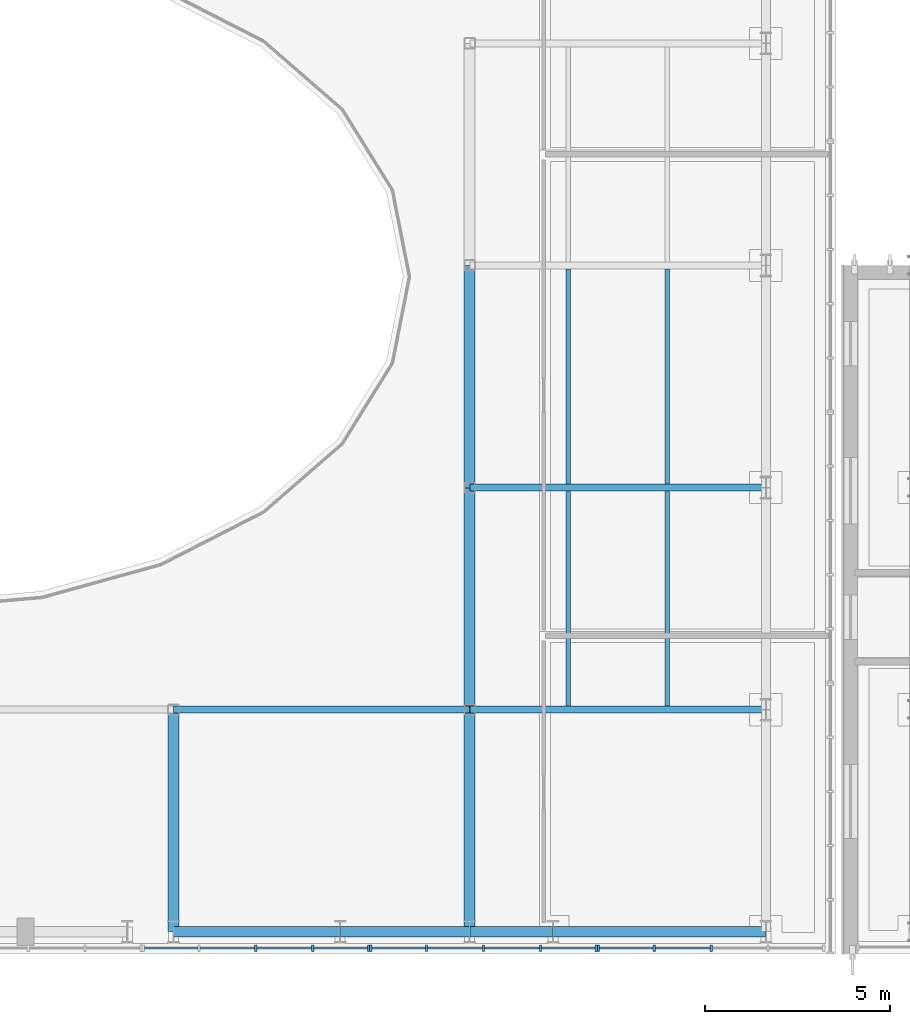
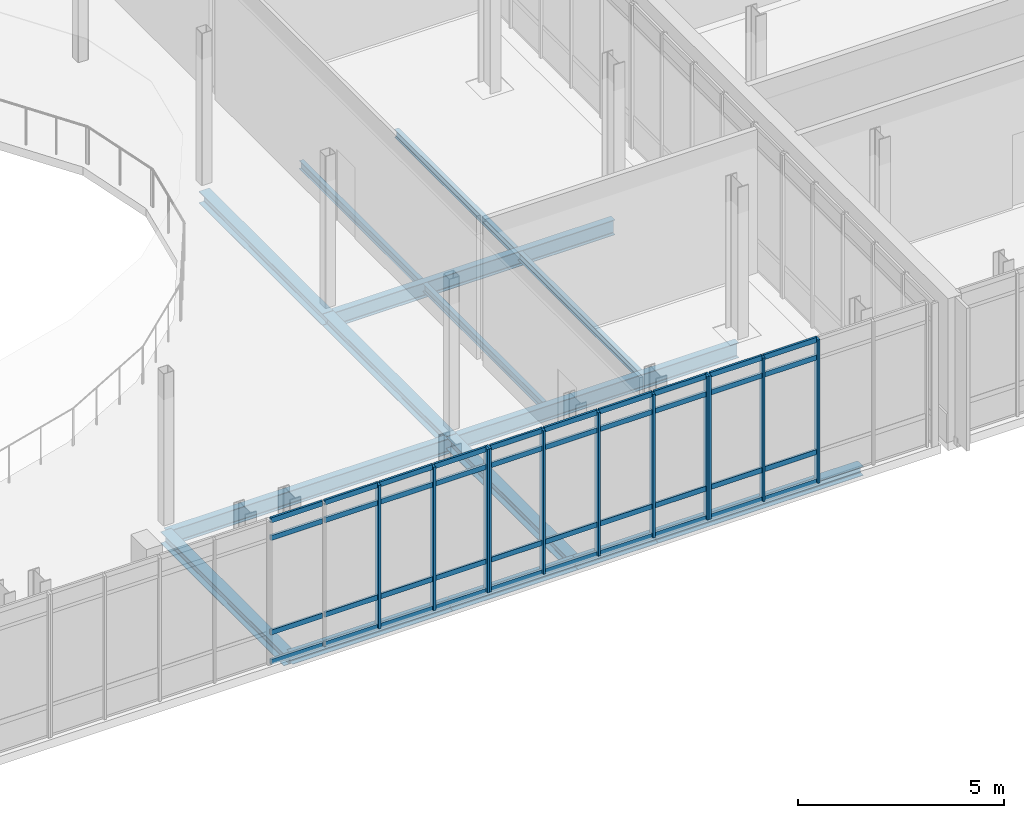
# One storey, part 26 of 100: 51 members, 15 beams, 3 elements without a shape of their own.
"""IFC4 building model written with IfcOpenShell, lengths in metres."""

from ifc_helpers import new_model, si_unit, direction, frame, origin, origin_2d, place, context, subcontext, project, spatial, rectangle, i_section, extrude, material, material_profile, profile_set, type_object, element, aggregate, save


model = new_model("IFC4")

# Units and contexts
model_context = context("Model", 3, precision=1e-05, world=origin(), true_north=direction((0.0, 1.0)))
body_context = subcontext(model_context, "Body", "Model", "MODEL_VIEW")
ifc_project = project(units=[si_unit("LENGTHUNIT", "METRE"), si_unit("AREAUNIT", "SQUARE_METRE"), si_unit("VOLUMEUNIT", "CUBIC_METRE"), si_unit("PLANEANGLEUNIT", "RADIAN"), si_unit("MASSUNIT", "GRAM", prefix="KILO")], contexts=[model_context])

# Site, building, storey
site_placement = place(None, origin())
site = spatial("IfcSite", under=ifc_project, at=site_placement, CompositionType="ELEMENT")
building_placement = place(site_placement, origin())
building = spatial("IfcBuilding", under=site, at=building_placement, Name="Cymarion Research Institute", CompositionType="ELEMENT")
storey_placement = place(building_placement, frame((0.0, 0.0, 4.800048828125)))
storey = spatial("IfcBuildingStorey", under=building, at=storey_placement, Name="L01", CompositionType="ELEMENT", Elevation=4.800048828125)

# Curtain wall, members
ifc_material_1 = material(Name="Anodised aluminium unitised curtain wall with Low-E glazing", Category="aluminium")
curtain_wall_type = type_object("IfcCurtainWallType", Name="UNITISED CURTAIN WALL CW07 6150X4250", PredefinedType="NOTDEFINED", material=ifc_material_1)
curtain_wall_1_placement = place(storey_placement, origin())
curtain_wall_1 = element("IfcCurtainWall", 1, at=curtain_wall_1_placement, inside=storey, type_object=curtain_wall_type, Name="L01 V2 unitised curtain wall CW07 #16", PredefinedType="NOTDEFINED")
ifc_material_2 = material(Name="Anodised aluminium framing", Category="aluminium")
ifc_material_profile_1 = material_profile(ifc_material_2, rectangle(XDim=0.06005859375, YDim=0.179931640625, at=origin_2d()), Name="ALU MULLION 60x180")
ifc_profile_set_1 = profile_set([ifc_material_profile_1], Name="Anodised aluminium framing")
member_type_1 = type_object("IfcMemberType", Name="CURTAIN WALL MULLION ML01 60X180", PredefinedType="MULLION", material=ifc_profile_set_1)
member_1_placement = place(storey_placement, frame((88.82421875, 5.06005859375, 0.0), z_axis=(0.0, 0.0, 1.0), x_axis=(1.0, 0.0, 0.0)))
member_1 = element("IfcMember", 2, at=member_1_placement, type_object=member_type_1, Name="CW07 mullion 3", PredefinedType="MULLION", context=body_context, shape_type="SweptSolid", body=[
    extrude(rectangle(XDim=0.06005859375, YDim=0.179931640625, at=origin_2d()), origin(), (0.0, 0.0, 1.0), 4.25),
])
member_2_placement = place(storey_placement, frame((90.361572265625, 5.06005859375, 0.0), z_axis=(0.0, 0.0, 1.0), x_axis=(1.0, 0.0, 0.0)))
member_2 = element("IfcMember", 3, at=member_2_placement, type_object=member_type_1, Name="CW07 mullion 4", PredefinedType="MULLION", context=body_context, shape_type="SweptSolid", body=[
    extrude(rectangle(XDim=0.06005859375, YDim=0.179931640625, at=origin_2d()), origin(), (0.0, 0.0, 1.0), 4.25),
])
member_3_placement = place(storey_placement, frame((91.868896484375, 5.06005859375, 0.0), z_axis=(0.0, 0.0, 1.0), x_axis=(1.0, 0.0, 0.0)))
member_3 = element("IfcMember", 4, at=member_3_placement, type_object=member_type_1, Name="CW07 mullion 5", PredefinedType="MULLION", context=body_context, shape_type="SweptSolid", body=[
    extrude(rectangle(XDim=0.06005859375, YDim=0.179931640625, at=origin_2d()), origin(), (0.0, 0.0, 1.0), 4.25),
])

curtain_wall_2_placement = place(storey_placement, origin())
curtain_wall_2 = element("IfcCurtainWall", 5, at=curtain_wall_2_placement, inside=storey, type_object=curtain_wall_type, Name="L01 V2 unitised curtain wall CW07 #17", PredefinedType="NOTDEFINED")
member_4_placement = place(storey_placement, frame((91.928955078125, 5.06005859375, 0.0), z_axis=(0.0, 0.0, 1.0), x_axis=(1.0, 0.0, 0.0)))
member_4 = element("IfcMember", 6, at=member_4_placement, type_object=member_type_1, Name="CW07 mullion 1", PredefinedType="MULLION", context=body_context, shape_type="SweptSolid", body=[
    extrude(rectangle(XDim=0.06005859375, YDim=0.179931640625, at=origin_2d()), origin(), (0.0, 0.0, 1.0), 4.25),
])
member_5_placement = place(storey_placement, frame((93.436279296875, 5.06005859375, 0.0), z_axis=(0.0, 0.0, 1.0), x_axis=(1.0, 0.0, 0.0)))
member_5 = element("IfcMember", 7, at=member_5_placement, type_object=member_type_1, Name="CW07 mullion 2", PredefinedType="MULLION", context=body_context, shape_type="SweptSolid", body=[
    extrude(rectangle(XDim=0.06005859375, YDim=0.179931640625, at=origin_2d()), origin(), (0.0, 0.0, 1.0), 4.25),
])
member_6_placement = place(storey_placement, frame((94.9736328125, 5.06005859375, 0.0), z_axis=(0.0, 0.0, 1.0), x_axis=(1.0, 0.0, 0.0)))
member_6 = element("IfcMember", 8, at=member_6_placement, type_object=member_type_1, Name="CW07 mullion 3", PredefinedType="MULLION", context=body_context, shape_type="SweptSolid", body=[
    extrude(rectangle(XDim=0.06005859375, YDim=0.179931640625, at=origin_2d()), origin(), (0.0, 0.0, 1.0), 4.25),
])
member_7_placement = place(storey_placement, frame((96.51123046875, 5.06005859375, 0.0), z_axis=(0.0, 0.0, 1.0), x_axis=(1.0, 0.0, 0.0)))
member_7 = element("IfcMember", 9, at=member_7_placement, type_object=member_type_1, Name="CW07 mullion 4", PredefinedType="MULLION", context=body_context, shape_type="SweptSolid", body=[
    extrude(rectangle(XDim=0.06005859375, YDim=0.179931640625, at=origin_2d()), origin(), (0.0, 0.0, 1.0), 4.25),
])
member_8_placement = place(storey_placement, frame((98.0185546875, 5.06005859375, 0.0), z_axis=(0.0, 0.0, 1.0), x_axis=(1.0, 0.0, 0.0)))
member_8 = element("IfcMember", 10, at=member_8_placement, type_object=member_type_1, Name="CW07 mullion 5", PredefinedType="MULLION", context=body_context, shape_type="SweptSolid", body=[
    extrude(rectangle(XDim=0.06005859375, YDim=0.179931640625, at=origin_2d()), origin(), (0.0, 0.0, 1.0), 4.25),
])

curtain_wall_3_placement = place(storey_placement, origin())
curtain_wall_3 = element("IfcCurtainWall", 11, at=curtain_wall_3_placement, inside=storey, type_object=curtain_wall_type, Name="L01 V2 unitised curtain wall CW07 #18", PredefinedType="NOTDEFINED")
member_9_placement = place(storey_placement, frame((98.07861328125, 5.06005859375, 0.0), z_axis=(0.0, 0.0, 1.0), x_axis=(1.0, 0.0, 0.0)))
member_9 = element("IfcMember", 12, at=member_9_placement, type_object=member_type_1, Name="CW07 mullion 1", PredefinedType="MULLION", context=body_context, shape_type="SweptSolid", body=[
    extrude(rectangle(XDim=0.06005859375, YDim=0.179931640625, at=origin_2d()), origin(), (0.0, 0.0, 1.0), 4.25),
])
member_10_placement = place(storey_placement, frame((99.5859375, 5.06005859375, 0.0), z_axis=(0.0, 0.0, 1.0), x_axis=(1.0, 0.0, 0.0)))
member_10 = element("IfcMember", 13, at=member_10_placement, type_object=member_type_1, Name="CW07 mullion 2", PredefinedType="MULLION", context=body_context, shape_type="SweptSolid", body=[
    extrude(rectangle(XDim=0.06005859375, YDim=0.179931640625, at=origin_2d()), origin(), (0.0, 0.0, 1.0), 4.25),
])
member_11_placement = place(storey_placement, frame((101.123291015625, 5.06005859375, 0.0), z_axis=(0.0, 0.0, 1.0), x_axis=(1.0, 0.0, 0.0)))
member_11 = element("IfcMember", 14, at=member_11_placement, type_object=member_type_1, Name="CW07 mullion 3", PredefinedType="MULLION", context=body_context, shape_type="SweptSolid", body=[
    extrude(rectangle(XDim=0.06005859375, YDim=0.179931640625, at=origin_2d()), origin(), (0.0, 0.0, 1.0), 4.25),
])

# Member
ifc_material_profile_2 = material_profile(ifc_material_2, rectangle(XDim=0.06005859375, YDim=0.14990234375, at=origin_2d()), Name="ALU TRANSOM 60x150")
ifc_profile_set_2 = profile_set([ifc_material_profile_2], Name="Anodised aluminium framing")
member_type_2 = type_object("IfcMemberType", Name="CURTAIN WALL TRANSOM TR01 60X150", PredefinedType="USERDEFINED", material=ifc_profile_set_2)
member_12_placement = place(storey_placement, frame((85.8095703125, 5.06005859375, 0.030029296875), z_axis=(1.0, 0.0, 0.0), x_axis=(0.0, 1.0, 0.0)))
member_12 = element("IfcMember", 15, at=member_12_placement, type_object=member_type_2, Name="CW07 transom 1.1", ObjectType="TRANSOM", PredefinedType="USERDEFINED", context=body_context, shape_type="SweptSolid", body=[
    extrude(rectangle(XDim=0.06005859375, YDim=0.14990234375, at=origin_2d()), origin(), (0.0, 0.0, 1.0), 1.447265625),
])

member_13_placement = place(storey_placement, frame((85.8095703125, 5.06005859375, 0.89990234375), z_axis=(1.0, 0.0, 0.0), x_axis=(0.0, 1.0, 0.0)))
member_13 = element("IfcMember", 16, at=member_13_placement, type_object=member_type_2, Name="CW07 transom 1.2", ObjectType="TRANSOM", PredefinedType="USERDEFINED", context=body_context, shape_type="SweptSolid", body=[
    extrude(rectangle(XDim=0.06005859375, YDim=0.14990234375, at=origin_2d()), origin(), (0.0, 0.0, 1.0), 1.447265625),
])

member_14_placement = place(storey_placement, frame((85.8095703125, 5.06005859375, 3.699951171875), z_axis=(1.0, 0.0, 0.0), x_axis=(0.0, 1.0, 0.0)))
member_14 = element("IfcMember", 17, at=member_14_placement, type_object=member_type_2, Name="CW07 transom 1.3", ObjectType="TRANSOM", PredefinedType="USERDEFINED", context=body_context, shape_type="SweptSolid", body=[
    extrude(rectangle(XDim=0.06005859375, YDim=0.14990234375, at=origin_2d()), origin(), (0.0, 0.0, 1.0), 1.447265625),
])

member_15_placement = place(storey_placement, frame((85.8095703125, 5.06005859375, 4.219970703125), z_axis=(1.0, 0.0, 0.0), x_axis=(0.0, 1.0, 0.0)))
member_15 = element("IfcMember", 18, at=member_15_placement, type_object=member_type_2, Name="CW07 transom 1.4", ObjectType="TRANSOM", PredefinedType="USERDEFINED", context=body_context, shape_type="SweptSolid", body=[
    extrude(rectangle(XDim=0.06005859375, YDim=0.14990234375, at=origin_2d()), origin(), (0.0, 0.0, 1.0), 1.447265625),
])

member_16_placement = place(storey_placement, frame((87.31689453125, 5.06005859375, 0.030029296875), z_axis=(1.0, 0.0, 0.0), x_axis=(0.0, 1.0, 0.0)))
member_16 = element("IfcMember", 19, at=member_16_placement, type_object=member_type_2, Name="CW07 transom 2.1", ObjectType="TRANSOM", PredefinedType="USERDEFINED", context=body_context, shape_type="SweptSolid", body=[
    extrude(rectangle(XDim=0.06005859375, YDim=0.14990234375, at=origin_2d()), origin(), (0.0, 0.0, 1.0), 1.477294921875),
])

member_17_placement = place(storey_placement, frame((87.31689453125, 5.06005859375, 0.89990234375), z_axis=(1.0, 0.0, 0.0), x_axis=(0.0, 1.0, 0.0)))
member_17 = element("IfcMember", 20, at=member_17_placement, type_object=member_type_2, Name="CW07 transom 2.2", ObjectType="TRANSOM", PredefinedType="USERDEFINED", context=body_context, shape_type="SweptSolid", body=[
    extrude(rectangle(XDim=0.06005859375, YDim=0.14990234375, at=origin_2d()), origin(), (0.0, 0.0, 1.0), 1.477294921875),
])

member_18_placement = place(storey_placement, frame((87.31689453125, 5.06005859375, 3.699951171875), z_axis=(1.0, 0.0, 0.0), x_axis=(0.0, 1.0, 0.0)))
member_18 = element("IfcMember", 21, at=member_18_placement, type_object=member_type_2, Name="CW07 transom 2.3", ObjectType="TRANSOM", PredefinedType="USERDEFINED", context=body_context, shape_type="SweptSolid", body=[
    extrude(rectangle(XDim=0.06005859375, YDim=0.14990234375, at=origin_2d()), origin(), (0.0, 0.0, 1.0), 1.477294921875),
])

member_19_placement = place(storey_placement, frame((87.31689453125, 5.06005859375, 4.219970703125), z_axis=(1.0, 0.0, 0.0), x_axis=(0.0, 1.0, 0.0)))
member_19 = element("IfcMember", 22, at=member_19_placement, type_object=member_type_2, Name="CW07 transom 2.4", ObjectType="TRANSOM", PredefinedType="USERDEFINED", context=body_context, shape_type="SweptSolid", body=[
    extrude(rectangle(XDim=0.06005859375, YDim=0.14990234375, at=origin_2d()), origin(), (0.0, 0.0, 1.0), 1.477294921875),
])

member_20_placement = place(storey_placement, frame((88.854248046875, 5.06005859375, 0.030029296875), z_axis=(1.0, 0.0, 0.0), x_axis=(0.0, 1.0, 0.0)))
member_20 = element("IfcMember", 23, at=member_20_placement, type_object=member_type_2, Name="CW07 transom 3.1", ObjectType="TRANSOM", PredefinedType="USERDEFINED", context=body_context, shape_type="SweptSolid", body=[
    extrude(rectangle(XDim=0.06005859375, YDim=0.14990234375, at=origin_2d()), origin(), (0.0, 0.0, 1.0), 1.477294921875),
])

member_21_placement = place(storey_placement, frame((88.854248046875, 5.06005859375, 0.89990234375), z_axis=(1.0, 0.0, 0.0), x_axis=(0.0, 1.0, 0.0)))
member_21 = element("IfcMember", 24, at=member_21_placement, type_object=member_type_2, Name="CW07 transom 3.2", ObjectType="TRANSOM", PredefinedType="USERDEFINED", context=body_context, shape_type="SweptSolid", body=[
    extrude(rectangle(XDim=0.06005859375, YDim=0.14990234375, at=origin_2d()), origin(), (0.0, 0.0, 1.0), 1.477294921875),
])

member_22_placement = place(storey_placement, frame((88.854248046875, 5.06005859375, 3.699951171875), z_axis=(1.0, 0.0, 0.0), x_axis=(0.0, 1.0, 0.0)))
member_22 = element("IfcMember", 25, at=member_22_placement, type_object=member_type_2, Name="CW07 transom 3.3", ObjectType="TRANSOM", PredefinedType="USERDEFINED", context=body_context, shape_type="SweptSolid", body=[
    extrude(rectangle(XDim=0.06005859375, YDim=0.14990234375, at=origin_2d()), origin(), (0.0, 0.0, 1.0), 1.477294921875),
])

member_23_placement = place(storey_placement, frame((88.854248046875, 5.06005859375, 4.219970703125), z_axis=(1.0, 0.0, 0.0), x_axis=(0.0, 1.0, 0.0)))
member_23 = element("IfcMember", 26, at=member_23_placement, type_object=member_type_2, Name="CW07 transom 3.4", ObjectType="TRANSOM", PredefinedType="USERDEFINED", context=body_context, shape_type="SweptSolid", body=[
    extrude(rectangle(XDim=0.06005859375, YDim=0.14990234375, at=origin_2d()), origin(), (0.0, 0.0, 1.0), 1.477294921875),
])

member_24_placement = place(storey_placement, frame((90.3916015625, 5.06005859375, 0.030029296875), z_axis=(1.0, 0.0, 0.0), x_axis=(0.0, 1.0, 0.0)))
member_24 = element("IfcMember", 27, at=member_24_placement, type_object=member_type_2, Name="CW07 transom 4.1", ObjectType="TRANSOM", PredefinedType="USERDEFINED", context=body_context, shape_type="SweptSolid", body=[
    extrude(rectangle(XDim=0.06005859375, YDim=0.14990234375, at=origin_2d()), origin(), (0.0, 0.0, 1.0), 1.447509765625),
])

member_25_placement = place(storey_placement, frame((90.3916015625, 5.06005859375, 0.89990234375), z_axis=(1.0, 0.0, 0.0), x_axis=(0.0, 1.0, 0.0)))
member_25 = element("IfcMember", 28, at=member_25_placement, type_object=member_type_2, Name="CW07 transom 4.2", ObjectType="TRANSOM", PredefinedType="USERDEFINED", context=body_context, shape_type="SweptSolid", body=[
    extrude(rectangle(XDim=0.06005859375, YDim=0.14990234375, at=origin_2d()), origin(), (0.0, 0.0, 1.0), 1.447509765625),
])

member_26_placement = place(storey_placement, frame((90.3916015625, 5.06005859375, 3.699951171875), z_axis=(1.0, 0.0, 0.0), x_axis=(0.0, 1.0, 0.0)))
member_26 = element("IfcMember", 29, at=member_26_placement, type_object=member_type_2, Name="CW07 transom 4.3", ObjectType="TRANSOM", PredefinedType="USERDEFINED", context=body_context, shape_type="SweptSolid", body=[
    extrude(rectangle(XDim=0.06005859375, YDim=0.14990234375, at=origin_2d()), origin(), (0.0, 0.0, 1.0), 1.447509765625),
])

member_27_placement = place(storey_placement, frame((90.3916015625, 5.06005859375, 4.219970703125), z_axis=(1.0, 0.0, 0.0), x_axis=(0.0, 1.0, 0.0)))
member_27 = element("IfcMember", 30, at=member_27_placement, type_object=member_type_2, Name="CW07 transom 4.4", ObjectType="TRANSOM", PredefinedType="USERDEFINED", context=body_context, shape_type="SweptSolid", body=[
    extrude(rectangle(XDim=0.06005859375, YDim=0.14990234375, at=origin_2d()), origin(), (0.0, 0.0, 1.0), 1.447509765625),
])

aggregate(curtain_wall_1, [member_1, member_2, member_3, member_12, member_13, member_14, member_15, member_16, member_17, member_18, member_19, member_20, member_21, member_22, member_23, member_24, member_25, member_26, member_27])

member_28_placement = place(storey_placement, frame((91.958984375, 5.06005859375, 0.030029296875), z_axis=(1.0, 0.0, 0.0), x_axis=(0.0, 1.0, 0.0)))
member_28 = element("IfcMember", 31, at=member_28_placement, type_object=member_type_2, Name="CW07 transom 1.1", ObjectType="TRANSOM", PredefinedType="USERDEFINED", context=body_context, shape_type="SweptSolid", body=[
    extrude(rectangle(XDim=0.06005859375, YDim=0.14990234375, at=origin_2d()), origin(), (0.0, 0.0, 1.0), 1.447509765625),
])

member_29_placement = place(storey_placement, frame((91.958984375, 5.06005859375, 0.89990234375), z_axis=(1.0, 0.0, 0.0), x_axis=(0.0, 1.0, 0.0)))
member_29 = element("IfcMember", 32, at=member_29_placement, type_object=member_type_2, Name="CW07 transom 1.2", ObjectType="TRANSOM", PredefinedType="USERDEFINED", context=body_context, shape_type="SweptSolid", body=[
    extrude(rectangle(XDim=0.06005859375, YDim=0.14990234375, at=origin_2d()), origin(), (0.0, 0.0, 1.0), 1.447509765625),
])

member_30_placement = place(storey_placement, frame((91.958984375, 5.06005859375, 3.699951171875), z_axis=(1.0, 0.0, 0.0), x_axis=(0.0, 1.0, 0.0)))
member_30 = element("IfcMember", 33, at=member_30_placement, type_object=member_type_2, Name="CW07 transom 1.3", ObjectType="TRANSOM", PredefinedType="USERDEFINED", context=body_context, shape_type="SweptSolid", body=[
    extrude(rectangle(XDim=0.06005859375, YDim=0.14990234375, at=origin_2d()), origin(), (0.0, 0.0, 1.0), 1.447509765625),
])

member_31_placement = place(storey_placement, frame((91.958984375, 5.06005859375, 4.219970703125), z_axis=(1.0, 0.0, 0.0), x_axis=(0.0, 1.0, 0.0)))
member_31 = element("IfcMember", 34, at=member_31_placement, type_object=member_type_2, Name="CW07 transom 1.4", ObjectType="TRANSOM", PredefinedType="USERDEFINED", context=body_context, shape_type="SweptSolid", body=[
    extrude(rectangle(XDim=0.06005859375, YDim=0.14990234375, at=origin_2d()), origin(), (0.0, 0.0, 1.0), 1.447509765625),
])

member_32_placement = place(storey_placement, frame((93.46630859375, 5.06005859375, 0.030029296875), z_axis=(1.0, 0.0, 0.0), x_axis=(0.0, 1.0, 0.0)))
member_32 = element("IfcMember", 35, at=member_32_placement, type_object=member_type_2, Name="CW07 transom 2.1", ObjectType="TRANSOM", PredefinedType="USERDEFINED", context=body_context, shape_type="SweptSolid", body=[
    extrude(rectangle(XDim=0.06005859375, YDim=0.14990234375, at=origin_2d()), origin(), (0.0, 0.0, 1.0), 1.4775390625),
])

member_33_placement = place(storey_placement, frame((93.46630859375, 5.06005859375, 0.89990234375), z_axis=(1.0, 0.0, 0.0), x_axis=(0.0, 1.0, 0.0)))
member_33 = element("IfcMember", 36, at=member_33_placement, type_object=member_type_2, Name="CW07 transom 2.2", ObjectType="TRANSOM", PredefinedType="USERDEFINED", context=body_context, shape_type="SweptSolid", body=[
    extrude(rectangle(XDim=0.06005859375, YDim=0.14990234375, at=origin_2d()), origin(), (0.0, 0.0, 1.0), 1.4775390625),
])

member_34_placement = place(storey_placement, frame((93.46630859375, 5.06005859375, 3.699951171875), z_axis=(1.0, 0.0, 0.0), x_axis=(0.0, 1.0, 0.0)))
member_34 = element("IfcMember", 37, at=member_34_placement, type_object=member_type_2, Name="CW07 transom 2.3", ObjectType="TRANSOM", PredefinedType="USERDEFINED", context=body_context, shape_type="SweptSolid", body=[
    extrude(rectangle(XDim=0.06005859375, YDim=0.14990234375, at=origin_2d()), origin(), (0.0, 0.0, 1.0), 1.4775390625),
])

member_35_placement = place(storey_placement, frame((93.46630859375, 5.06005859375, 4.219970703125), z_axis=(1.0, 0.0, 0.0), x_axis=(0.0, 1.0, 0.0)))
member_35 = element("IfcMember", 38, at=member_35_placement, type_object=member_type_2, Name="CW07 transom 2.4", ObjectType="TRANSOM", PredefinedType="USERDEFINED", context=body_context, shape_type="SweptSolid", body=[
    extrude(rectangle(XDim=0.06005859375, YDim=0.14990234375, at=origin_2d()), origin(), (0.0, 0.0, 1.0), 1.4775390625),
])

member_36_placement = place(storey_placement, frame((95.003662109375, 5.06005859375, 0.030029296875), z_axis=(1.0, 0.0, 0.0), x_axis=(0.0, 1.0, 0.0)))
member_36 = element("IfcMember", 39, at=member_36_placement, type_object=member_type_2, Name="CW07 transom 3.1", ObjectType="TRANSOM", PredefinedType="USERDEFINED", context=body_context, shape_type="SweptSolid", body=[
    extrude(rectangle(XDim=0.06005859375, YDim=0.14990234375, at=origin_2d()), origin(), (0.0, 0.0, 1.0), 1.4775390625),
])

member_37_placement = place(storey_placement, frame((95.003662109375, 5.06005859375, 0.89990234375), z_axis=(1.0, 0.0, 0.0), x_axis=(0.0, 1.0, 0.0)))
member_37 = element("IfcMember", 40, at=member_37_placement, type_object=member_type_2, Name="CW07 transom 3.2", ObjectType="TRANSOM", PredefinedType="USERDEFINED", context=body_context, shape_type="SweptSolid", body=[
    extrude(rectangle(XDim=0.06005859375, YDim=0.14990234375, at=origin_2d()), origin(), (0.0, 0.0, 1.0), 1.4775390625),
])

member_38_placement = place(storey_placement, frame((95.003662109375, 5.06005859375, 3.699951171875), z_axis=(1.0, 0.0, 0.0), x_axis=(0.0, 1.0, 0.0)))
member_38 = element("IfcMember", 41, at=member_38_placement, type_object=member_type_2, Name="CW07 transom 3.3", ObjectType="TRANSOM", PredefinedType="USERDEFINED", context=body_context, shape_type="SweptSolid", body=[
    extrude(rectangle(XDim=0.06005859375, YDim=0.14990234375, at=origin_2d()), origin(), (0.0, 0.0, 1.0), 1.4775390625),
])

member_39_placement = place(storey_placement, frame((95.003662109375, 5.06005859375, 4.219970703125), z_axis=(1.0, 0.0, 0.0), x_axis=(0.0, 1.0, 0.0)))
member_39 = element("IfcMember", 42, at=member_39_placement, type_object=member_type_2, Name="CW07 transom 3.4", ObjectType="TRANSOM", PredefinedType="USERDEFINED", context=body_context, shape_type="SweptSolid", body=[
    extrude(rectangle(XDim=0.06005859375, YDim=0.14990234375, at=origin_2d()), origin(), (0.0, 0.0, 1.0), 1.4775390625),
])

member_40_placement = place(storey_placement, frame((96.541015625, 5.06005859375, 0.030029296875), z_axis=(1.0, 0.0, 0.0), x_axis=(0.0, 1.0, 0.0)))
member_40 = element("IfcMember", 43, at=member_40_placement, type_object=member_type_2, Name="CW07 transom 4.1", ObjectType="TRANSOM", PredefinedType="USERDEFINED", context=body_context, shape_type="SweptSolid", body=[
    extrude(rectangle(XDim=0.06005859375, YDim=0.14990234375, at=origin_2d()), origin(), (0.0, 0.0, 1.0), 1.447509765625),
])

member_41_placement = place(storey_placement, frame((96.541015625, 5.06005859375, 0.89990234375), z_axis=(1.0, 0.0, 0.0), x_axis=(0.0, 1.0, 0.0)))
member_41 = element("IfcMember", 44, at=member_41_placement, type_object=member_type_2, Name="CW07 transom 4.2", ObjectType="TRANSOM", PredefinedType="USERDEFINED", context=body_context, shape_type="SweptSolid", body=[
    extrude(rectangle(XDim=0.06005859375, YDim=0.14990234375, at=origin_2d()), origin(), (0.0, 0.0, 1.0), 1.447509765625),
])

member_42_placement = place(storey_placement, frame((96.541015625, 5.06005859375, 3.699951171875), z_axis=(1.0, 0.0, 0.0), x_axis=(0.0, 1.0, 0.0)))
member_42 = element("IfcMember", 45, at=member_42_placement, type_object=member_type_2, Name="CW07 transom 4.3", ObjectType="TRANSOM", PredefinedType="USERDEFINED", context=body_context, shape_type="SweptSolid", body=[
    extrude(rectangle(XDim=0.06005859375, YDim=0.14990234375, at=origin_2d()), origin(), (0.0, 0.0, 1.0), 1.447509765625),
])

member_43_placement = place(storey_placement, frame((96.541015625, 5.06005859375, 4.219970703125), z_axis=(1.0, 0.0, 0.0), x_axis=(0.0, 1.0, 0.0)))
member_43 = element("IfcMember", 46, at=member_43_placement, type_object=member_type_2, Name="CW07 transom 4.4", ObjectType="TRANSOM", PredefinedType="USERDEFINED", context=body_context, shape_type="SweptSolid", body=[
    extrude(rectangle(XDim=0.06005859375, YDim=0.14990234375, at=origin_2d()), origin(), (0.0, 0.0, 1.0), 1.447509765625),
])

aggregate(curtain_wall_2, [member_4, member_5, member_6, member_7, member_8, member_28, member_29, member_30, member_31, member_32, member_33, member_34, member_35, member_36, member_37, member_38, member_39, member_40, member_41, member_42, member_43])

member_44_placement = place(storey_placement, frame((98.1083984375, 5.06005859375, 0.030029296875), z_axis=(1.0, 0.0, 0.0), x_axis=(0.0, 1.0, 0.0)))
member_44 = element("IfcMember", 47, at=member_44_placement, type_object=member_type_2, Name="CW07 transom 1.1", ObjectType="TRANSOM", PredefinedType="USERDEFINED", context=body_context, shape_type="SweptSolid", body=[
    extrude(rectangle(XDim=0.06005859375, YDim=0.14990234375, at=origin_2d()), origin(), (0.0, 0.0, 1.0), 1.447509765625),
])

member_45_placement = place(storey_placement, frame((98.1083984375, 5.06005859375, 0.89990234375), z_axis=(1.0, 0.0, 0.0), x_axis=(0.0, 1.0, 0.0)))
member_45 = element("IfcMember", 48, at=member_45_placement, type_object=member_type_2, Name="CW07 transom 1.2", ObjectType="TRANSOM", PredefinedType="USERDEFINED", context=body_context, shape_type="SweptSolid", body=[
    extrude(rectangle(XDim=0.06005859375, YDim=0.14990234375, at=origin_2d()), origin(), (0.0, 0.0, 1.0), 1.447509765625),
])

member_46_placement = place(storey_placement, frame((98.1083984375, 5.06005859375, 3.699951171875), z_axis=(1.0, 0.0, 0.0), x_axis=(0.0, 1.0, 0.0)))
member_46 = element("IfcMember", 49, at=member_46_placement, type_object=member_type_2, Name="CW07 transom 1.3", ObjectType="TRANSOM", PredefinedType="USERDEFINED", context=body_context, shape_type="SweptSolid", body=[
    extrude(rectangle(XDim=0.06005859375, YDim=0.14990234375, at=origin_2d()), origin(), (0.0, 0.0, 1.0), 1.447509765625),
])

member_47_placement = place(storey_placement, frame((98.1083984375, 5.06005859375, 4.219970703125), z_axis=(1.0, 0.0, 0.0), x_axis=(0.0, 1.0, 0.0)))
member_47 = element("IfcMember", 50, at=member_47_placement, type_object=member_type_2, Name="CW07 transom 1.4", ObjectType="TRANSOM", PredefinedType="USERDEFINED", context=body_context, shape_type="SweptSolid", body=[
    extrude(rectangle(XDim=0.06005859375, YDim=0.14990234375, at=origin_2d()), origin(), (0.0, 0.0, 1.0), 1.447509765625),
])

member_48_placement = place(storey_placement, frame((99.615966796875, 5.06005859375, 0.030029296875), z_axis=(1.0, 0.0, 0.0), x_axis=(0.0, 1.0, 0.0)))
member_48 = element("IfcMember", 51, at=member_48_placement, type_object=member_type_2, Name="CW07 transom 2.1", ObjectType="TRANSOM", PredefinedType="USERDEFINED", context=body_context, shape_type="SweptSolid", body=[
    extrude(rectangle(XDim=0.06005859375, YDim=0.14990234375, at=origin_2d()), origin(), (0.0, 0.0, 1.0), 1.477294921875),
])

member_49_placement = place(storey_placement, frame((99.615966796875, 5.06005859375, 0.89990234375), z_axis=(1.0, 0.0, 0.0), x_axis=(0.0, 1.0, 0.0)))
member_49 = element("IfcMember", 52, at=member_49_placement, type_object=member_type_2, Name="CW07 transom 2.2", ObjectType="TRANSOM", PredefinedType="USERDEFINED", context=body_context, shape_type="SweptSolid", body=[
    extrude(rectangle(XDim=0.06005859375, YDim=0.14990234375, at=origin_2d()), origin(), (0.0, 0.0, 1.0), 1.477294921875),
])

member_50_placement = place(storey_placement, frame((99.615966796875, 5.06005859375, 3.699951171875), z_axis=(1.0, 0.0, 0.0), x_axis=(0.0, 1.0, 0.0)))
member_50 = element("IfcMember", 53, at=member_50_placement, type_object=member_type_2, Name="CW07 transom 2.3", ObjectType="TRANSOM", PredefinedType="USERDEFINED", context=body_context, shape_type="SweptSolid", body=[
    extrude(rectangle(XDim=0.06005859375, YDim=0.14990234375, at=origin_2d()), origin(), (0.0, 0.0, 1.0), 1.477294921875),
])

member_51_placement = place(storey_placement, frame((99.615966796875, 5.06005859375, 4.219970703125), z_axis=(1.0, 0.0, 0.0), x_axis=(0.0, 1.0, 0.0)))
member_51 = element("IfcMember", 54, at=member_51_placement, type_object=member_type_2, Name="CW07 transom 2.4", ObjectType="TRANSOM", PredefinedType="USERDEFINED", context=body_context, shape_type="SweptSolid", body=[
    extrude(rectangle(XDim=0.06005859375, YDim=0.14990234375, at=origin_2d()), origin(), (0.0, 0.0, 1.0), 1.477294921875),
])

aggregate(curtain_wall_3, [member_9, member_10, member_11, member_44, member_45, member_46, member_47, member_48, member_49, member_50, member_51])

# Beams
ifc_material_3 = material(Name="Steel S355", Category="steel")
ifc_material_profile_3 = material_profile(ifc_material_3, i_section(OverallWidth=0.18994140625, OverallDepth=0.449951171875, WebThickness=0.009521484375, FlangeThickness=0.0146484375, FilletRadius=0.02099609375, at=origin_2d()), Name="IPE 450")
ifc_profile_set_3 = profile_set([ifc_material_profile_3], Name="Steel S355")
beam_type_1 = type_object("IfcBeamType", Name="PRIMARY GIRDER BM04 IPE 450", PredefinedType="BEAM", material=ifc_profile_set_3)
for number, where, z_axis, x_axis, name in (
    (55, (86.60595703125, 11.5, -0.47509765625), (1.0, 0.0, 0.0), (0.0, 1.0, 0.0), "L01 V2 girder BM04 #472"),
    (56, (94.60595703125, 11.5, -0.47509765625), (1.0, 0.0, 0.0), (0.0, 1.0, 0.0), "L01 V2 girder BM04 #473"),
    (57, (94.60595703125, 17.5, -0.47509765625), (1.0, 0.0, 0.0), (0.0, 1.0, 0.0), "L01 V2 girder BM04 #475"),
):
    element("IfcBeam", number, at=place(storey_placement, frame(where, z_axis=z_axis, x_axis=x_axis)), inside=storey, type_object=beam_type_1, Name=name, PredefinedType="BEAM", context=body_context, shape_type="SweptSolid", body=[
        extrude(i_section(OverallWidth=0.18994140625, OverallDepth=0.449951171875, WebThickness=0.009521484375, FlangeThickness=0.0146484375, FilletRadius=0.02099609375, at=origin_2d()), origin(), (0.0, 0.0, 1.0), 7.988037109375),
    ])
ifc_material_profile_4 = material_profile(ifc_material_3, i_section(OverallWidth=0.300048828125, OverallDepth=0.35009765625, WebThickness=0.010009765625, FlangeThickness=0.017578125, FilletRadius=0.027099609375, at=origin_2d()), Name="HEA 360")
ifc_profile_set_4 = profile_set([ifc_material_profile_4], Name="Steel S355")
beam_type_2 = type_object("IfcBeamType", Name="PRIMARY GIRDER BM12 HEA 360", PredefinedType="BEAM", material=ifc_profile_set_4)
for number, where, z_axis, x_axis, name in (
    (58, (86.60009765625, 5.506103515625, -0.425048828125), (0.0, 1.0, 0.0), (-1.0, 0.0, 0.0), "L01 V2 girder BM12 #512"),
    (59, (94.60009765625, 5.506103515625, -0.425048828125), (0.0, 1.0, 0.0), (-1.0, 0.0, 0.0), "L01 V2 girder BM12 #513"),
    (60, (94.60009765625, 11.506103515625, -0.425048828125), (0.0, 1.0, 0.0), (-1.0, 0.0, 0.0), "L01 V2 girder BM12 #514"),
    (61, (94.60009765625, 17.506103515625, -0.425048828125), (0.0, 1.0, 0.0), (-1.0, 0.0, 0.0), "L01 V2 girder BM12 #515"),
):
    element("IfcBeam", number, at=place(storey_placement, frame(where, z_axis=z_axis, x_axis=x_axis)), inside=storey, type_object=beam_type_2, Name=name, PredefinedType="BEAM", context=body_context, shape_type="SweptSolid", body=[
        extrude(i_section(OverallWidth=0.300048828125, OverallDepth=0.35009765625, WebThickness=0.010009765625, FlangeThickness=0.017578125, FilletRadius=0.027099609375, at=origin_2d()), origin(), (0.0, 0.0, 1.0), 5.98779296875),
    ])
ifc_material_profile_5 = material_profile(ifc_material_3, i_section(OverallWidth=0.1201171875, OverallDepth=0.239990234375, WebThickness=0.006103515625, FlangeThickness=0.009765625, FilletRadius=0.014892578125, at=origin_2d()), Name="IPE 240")
ifc_profile_set_5 = profile_set([ifc_material_profile_5], Name="Steel S355")
beam_type_3 = type_object("IfcBeamType", Name="SECONDARY JOIST JS04 IPE 240", PredefinedType="JOIST", material=ifc_profile_set_5)
for number, where, z_axis, x_axis, name in (
    (62, (97.2666015625, 11.59912109375, -0.3701171875), (0.0, 1.0, 0.0), (-1.0, 0.0, 0.0), "L01 V2 secondary joist JS04 #524"),
    (63, (99.933349609375, 11.59912109375, -0.3701171875), (0.0, 1.0, 0.0), (-1.0, 0.0, 0.0), "L01 V2 secondary joist JS04 #525"),
    (64, (97.2666015625, 17.59912109375, -0.3701171875), (0.0, 1.0, 0.0), (-1.0, 0.0, 0.0), "L01 V2 secondary joist JS04 #527"),
    (65, (99.933349609375, 17.59912109375, -0.3701171875), (0.0, 1.0, 0.0), (-1.0, 0.0, 0.0), "L01 V2 secondary joist JS04 #528"),
):
    element("IfcBeam", number, at=place(storey_placement, frame(where, z_axis=z_axis, x_axis=x_axis)), inside=storey, type_object=beam_type_3, Name=name, PredefinedType="JOIST", context=body_context, shape_type="SweptSolid", body=[
        extrude(i_section(OverallWidth=0.1201171875, OverallDepth=0.239990234375, WebThickness=0.006103515625, FlangeThickness=0.009765625, FilletRadius=0.014892578125, at=origin_2d()), origin(), (0.0, 0.0, 1.0), 5.8017578125),
    ])
ifc_material_profile_6 = material_profile(ifc_material_3, i_section(OverallWidth=0.280029296875, OverallDepth=0.27001953125, WebThickness=0.008056640625, FlangeThickness=0.012939453125, FilletRadius=0.02392578125, at=origin_2d()), Name="HEA 280")
ifc_profile_set_6 = profile_set([ifc_material_profile_6], Name="Steel S355")
beam_type_4 = type_object("IfcBeamType", Name="SPANDREL BEAM SPB02 HEA 280", PredefinedType="SPANDREL", material=ifc_profile_set_6)
beam_1_placement = place(storey_placement, frame((86.60595703125, 5.5, -0.385009765625), z_axis=(1.0, 0.0, 0.0), x_axis=(0.0, 1.0, 0.0)))
element("IfcBeam", 66, at=beam_1_placement, inside=storey, type_object=beam_type_4, Name="L01 V2 girder SPB02 #464", PredefinedType="SPANDREL", context=body_context, shape_type="SweptSolid", body=[
    extrude(i_section(OverallWidth=0.280029296875, OverallDepth=0.27001953125, WebThickness=0.008056640625, FlangeThickness=0.012939453125, FilletRadius=0.02392578125, at=origin_2d()), origin(), (0.0, 0.0, 1.0), 4.488037109375),
])
beam_2_placement = place(storey_placement, frame((91.10595703125, 5.5, -0.385009765625), z_axis=(1.0, 0.0, 0.0), x_axis=(0.0, 1.0, 0.0)))
element("IfcBeam", 67, at=beam_2_placement, inside=storey, type_object=beam_type_4, Name="L01 V2 girder SPB02 #465", PredefinedType="SPANDREL", context=body_context, shape_type="SweptSolid", body=[
    extrude(i_section(OverallWidth=0.280029296875, OverallDepth=0.27001953125, WebThickness=0.008056640625, FlangeThickness=0.012939453125, FilletRadius=0.02392578125, at=origin_2d()), origin(), (0.0, 0.0, 1.0), 3.488037109375),
])
beam_3_placement = place(storey_placement, frame((94.60595703125, 5.5, -0.385009765625), z_axis=(1.0, 0.0, 0.0), x_axis=(0.0, 1.0, 0.0)))
element("IfcBeam", 68, at=beam_3_placement, inside=storey, type_object=beam_type_4, Name="L01 V2 girder SPB02 #466", PredefinedType="SPANDREL", context=body_context, shape_type="SweptSolid", body=[
    extrude(i_section(OverallWidth=0.280029296875, OverallDepth=0.27001953125, WebThickness=0.008056640625, FlangeThickness=0.012939453125, FilletRadius=0.02392578125, at=origin_2d()), origin(), (0.0, 0.0, 1.0), 2.238037109375),
])
beam_4_placement = place(storey_placement, frame((96.85595703125, 5.5, -0.385009765625), z_axis=(1.0, 0.0, 0.0), x_axis=(0.0, 1.0, 0.0)))
element("IfcBeam", 69, at=beam_4_placement, inside=storey, type_object=beam_type_4, Name="L01 V2 girder SPB02 #467", PredefinedType="SPANDREL", context=body_context, shape_type="SweptSolid", body=[
    extrude(i_section(OverallWidth=0.280029296875, OverallDepth=0.27001953125, WebThickness=0.008056640625, FlangeThickness=0.012939453125, FilletRadius=0.02392578125, at=origin_2d()), origin(), (0.0, 0.0, 1.0), 5.738037109375),
])

save(model, "model.ifc")
